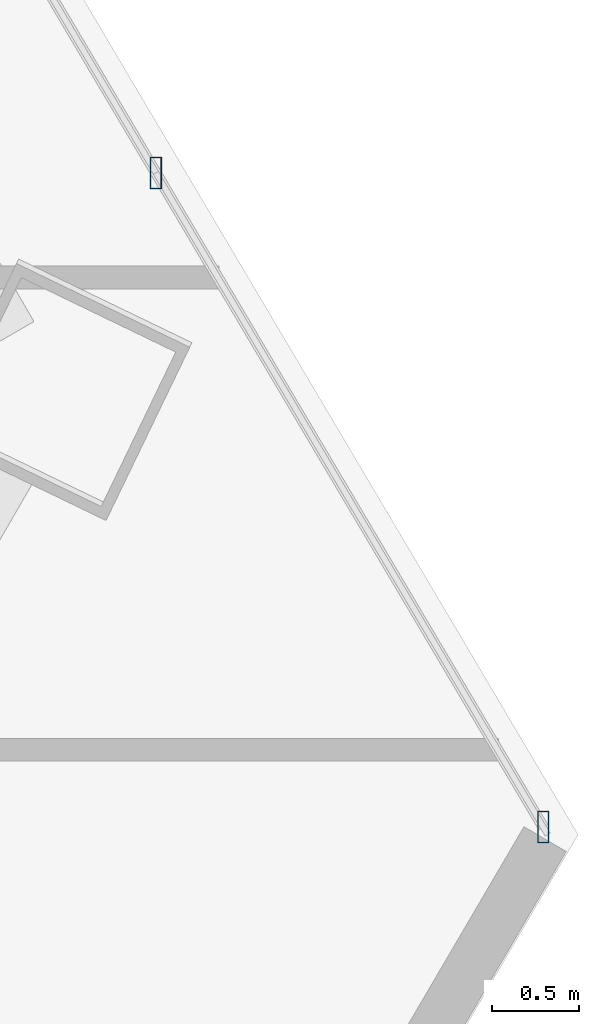
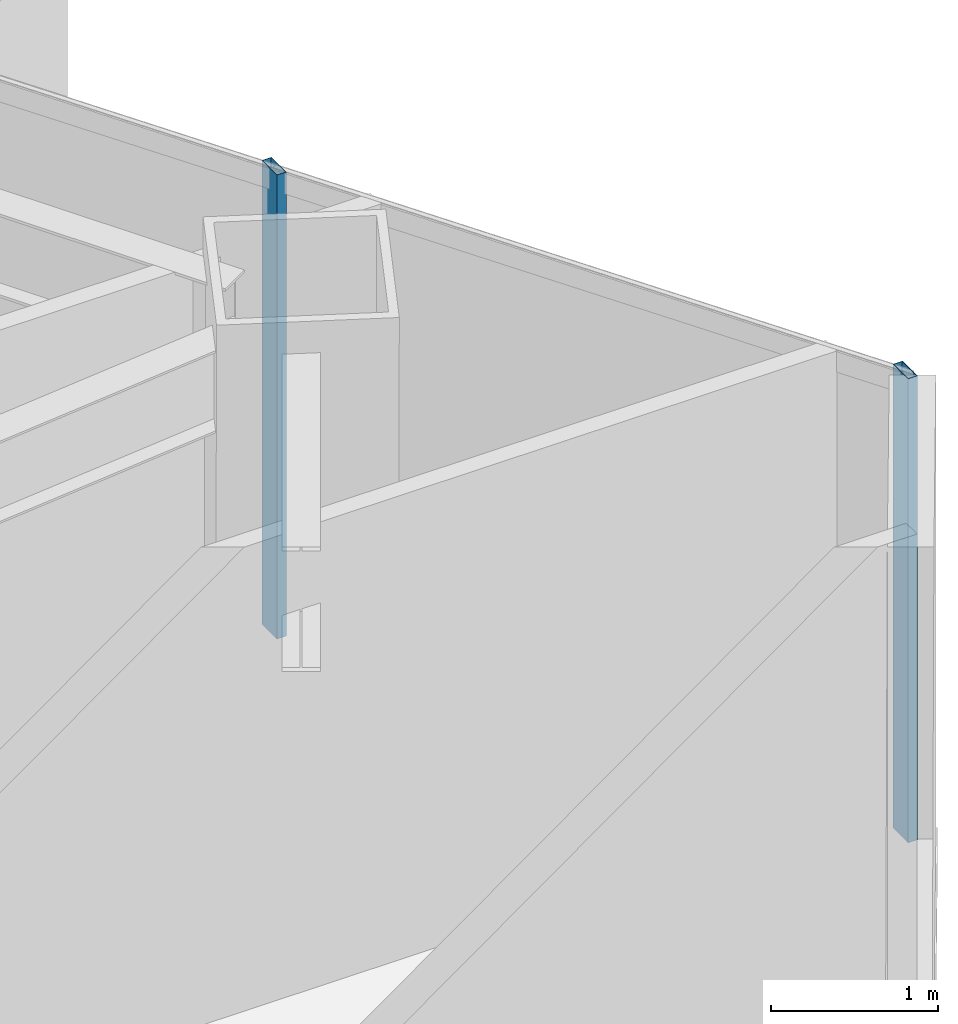
# One storey, part 18 of 35: 2 members, 1 element without a shape of its own.
"""IFC4 building model written with IfcOpenShell, lengths in metres."""

from ifc_helpers import new_model, si_unit, direction, frame, origin, origin_2d, place, context, subcontext, project, spatial, hollow_rectangle, extrude, source, transform, mapped, material, material_profile, profile_set, type_object, type_shapes, element, aggregate, save


model = new_model("IFC4")

# Units and contexts
model_context = context("Model", 3, precision=1e-05, world=origin(), true_north=direction((0.0, 1.0)))
body_context = subcontext(model_context, "Body", "Model", "MODEL_VIEW")
ifc_project = project(units=[si_unit("LENGTHUNIT", "METRE"), si_unit("AREAUNIT", "SQUARE_METRE"), si_unit("VOLUMEUNIT", "CUBIC_METRE"), si_unit("PLANEANGLEUNIT", "RADIAN"), si_unit("MASSUNIT", "GRAM", prefix="KILO")], contexts=[model_context])

# Site, building, storey
site_placement = place(None, origin())
site = spatial("IfcSite", under=ifc_project, at=site_placement, CompositionType="ELEMENT")
building_placement = place(site_placement, origin())
building = spatial("IfcBuilding", under=site, at=building_placement, Name="Caelisora Broadcast Tower", CompositionType="ELEMENT")
storey_placement = place(building_placement, frame((0.0, 0.0, 109.050048828125)))
storey = spatial("IfcBuildingStorey", under=building, at=storey_placement, Name="L28", CompositionType="ELEMENT", Elevation=109.050048828125)

# Curtain wall, members
ifc_material_1 = material(Name="Unitised Aluminium and Low-E Glass Curtain Wall", Category="glass")
curtain_wall_type = type_object("IfcCurtainWallType", Name="CW-Z2", PredefinedType="NOTDEFINED", material=ifc_material_1)
curtain_wall_placement = place(storey_placement, origin())
curtain_wall = element("IfcCurtainWall", 1, at=curtain_wall_placement, inside=storey, type_object=curtain_wall_type, Name="L28 curtain wall CW-Z2", PredefinedType="NOTDEFINED")
ifc_material_2 = material(Name="Aluminium 6063-T6 Anodised Terracotta Bronze", Category="aluminium")
ifc_material_profile = material_profile(ifc_material_2, hollow_rectangle(XDim=0.06494140625, YDim=0.179931640625, WallThickness=0.00341796875, at=origin_2d()), Name="Aluminium 6063-T6 Anodised Terracotta Bronze")
ifc_profile_set = profile_set([ifc_material_profile], Name="Aluminium 6063-T6 Anodised Terracotta Bronze")
member_type = type_object("IfcMemberType", Name="CWM-02", PredefinedType="MULLION", material=ifc_profile_set)
shared_shape = source(origin(), body_context, "Body", "SweptSolid", [
    extrude(hollow_rectangle(XDim=0.06494140625, YDim=0.179931640625, WallThickness=0.00341796875, at=origin_2d()), origin(), (0.0, 0.0, 1.0), 3.39990234375),
])
type_shapes(member_type, [shared_shape])
member_1_placement = place(storey_placement, frame((61.623779296875, 20.3984375, 0.0), z_axis=(0.0, 0.0, 1.0), x_axis=(1.0, 0.0, 0.0)))
member_1 = element("IfcMember", 2, at=member_1_placement, type_object=member_type, Name="L28-CW-B03 mullion #2", PredefinedType="MULLION", context=body_context, shape_type="MappedRepresentation", body=[
    mapped(shared_shape, transform((0.0, 0.0, 0.0), scale=1.0)),
])
member_2_placement = place(storey_placement, frame((63.83837890625, 16.657958984375, 0.0), z_axis=(0.0, 0.0, 1.0), x_axis=(1.0, 0.0, 0.0)))
member_2 = element("IfcMember", 3, at=member_2_placement, type_object=member_type, Name="L28-CW-B03 mullion #3", PredefinedType="MULLION", context=body_context, shape_type="MappedRepresentation", body=[
    mapped(shared_shape, transform((0.0, 0.0, 0.0), scale=1.0)),
])
aggregate(curtain_wall, [member_1, member_2])

save(model, "model.ifc")
